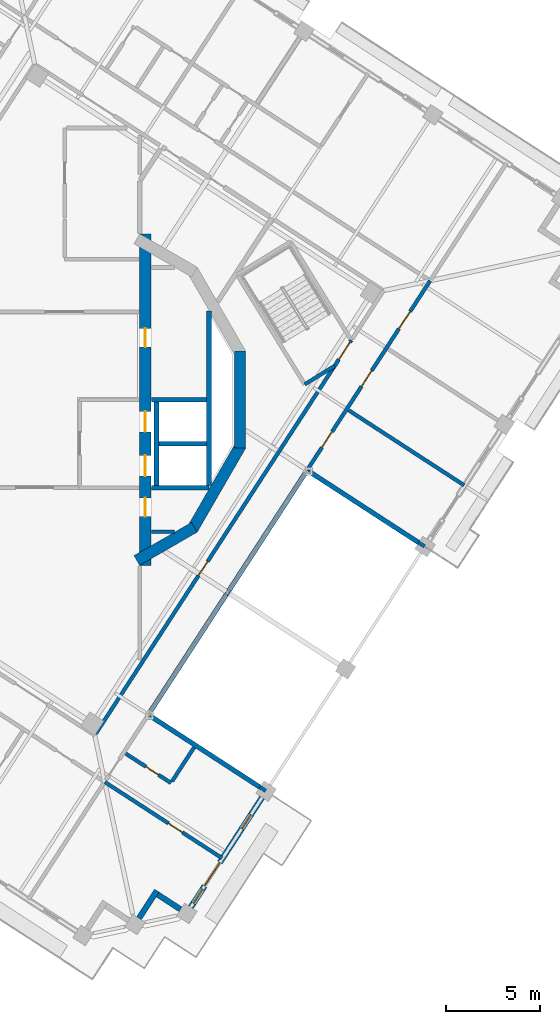
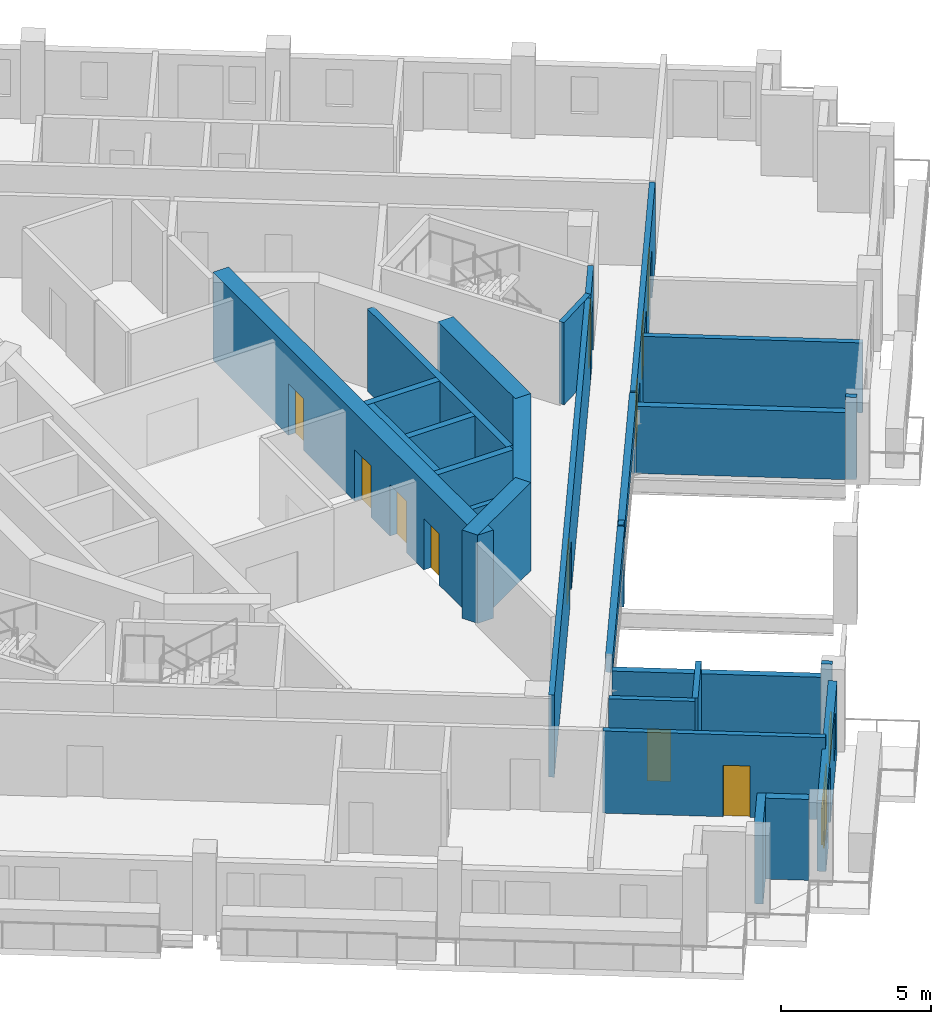
# One storey, part 7 of 17: 28 walls, 12 doors, 2 windows, 14 openings.
"""IFC4 building model written with IfcOpenShell, lengths in metres."""

from ifc_helpers import new_model, si_unit, direction, frame, frame_2d, origin, place, context, subcontext, project, spatial, rectangle, extrude, material, layer, layer_set, type_object, element, fill, save


model = new_model("IFC4")

# Units and contexts
model_context = context("Model", 3, precision=1e-05, world=origin(), true_north=direction((0.0, 1.0)))
body_context = subcontext(model_context, "Body", "Model", "MODEL_VIEW")
ifc_project = project(units=[si_unit("LENGTHUNIT", "METRE"), si_unit("AREAUNIT", "SQUARE_METRE"), si_unit("VOLUMEUNIT", "CUBIC_METRE"), si_unit("PLANEANGLEUNIT", "RADIAN"), si_unit("MASSUNIT", "GRAM", prefix="KILO")], contexts=[model_context])

# Site, building, storey
site_placement = place(None, origin())
site = spatial("IfcSite", under=ifc_project, at=site_placement, CompositionType="ELEMENT")
building_placement = place(site_placement, origin())
building = spatial("IfcBuilding", under=site, at=building_placement, Name="Cantera Rosa Tower", CompositionType="ELEMENT")
storey_placement = place(building_placement, frame((0.0, 0.0, 254.10009765625)))
storey = spatial("IfcBuildingStorey", under=building, at=storey_placement, Name="L56", CompositionType="ELEMENT", Elevation=254.10009765625)

# Wall, opening, door
ifc_material_1 = material(Name="Gypsum board partition")
ifc_layer_1 = layer(ifc_material_1, 0.199951171875)
ifc_layer_set_1 = layer_set([ifc_layer_1], Name="CORRIDOR WALL 200 H3350")
wall_type_1 = type_object("IfcWallType", Name="CORRIDOR WALL 200 H3350", PredefinedType="PARTITIONING", material=ifc_layer_set_1)
wall_1_placement = place(storey_placement, frame((1.656982421875, -17.828857421875, 0.0), z_axis=(0.0, 0.0, 1.0), x_axis=(0.544640309195, 0.838669740482, 0.0)))
wall_1 = element("IfcWall", 1, at=wall_1_placement, inside=storey, type_object=wall_type_1, Name="CORRIDOR WALL L56-057", PredefinedType="PARTITIONING", context=body_context, shape_type="SweptSolid", body=[
    extrude(rectangle(XDim=23.1552734375, YDim=0.199951171875, at=frame_2d((11.57763671875, 0.0))), origin(), (0.0, 0.0, 1.0), 3.349853515625),
])
opening_1_placement = place(wall_1_placement, frame((10.060791015625, 0.0, 0.0)))
opening_1 = element("IfcOpeningElement", 2, at=opening_1_placement, cuts=wall_1, Name="Opening L56-006", PredefinedType="OPENING", context=body_context, shape_type="SweptSolid", body=[
    extrude(rectangle(XDim=0.89990234375, YDim=2.10009765625, at=frame_2d((0.449951171875, 1.050048828125))), frame((0.0, 0.10986328125, 0.0), z_axis=(0.0, -1.0, 0.0), x_axis=(1.0, 0.0, 0.0)), (0.0, 0.0, 1.0), 0.219970703125),
])
ifc_material_2 = material(Name="Timber door leaf", Category="wood")
door_type_1 = type_object("IfcDoorType", Name="SERVICE DOOR 900x2100", OperationType="NOTDEFINED", PredefinedType="DOOR", material=ifc_material_2)
door_1_placement = place(opening_1_placement, origin())
door_1 = element("IfcDoor", 3, at=door_1_placement, inside=storey, type_object=door_type_1, Name="DOOR L56-006", OperationType="NOTDEFINED", OverallHeight=2.10009765625, OverallWidth=0.89990234375, PredefinedType="DOOR", context=body_context, shape_type="SweptSolid", body=[
    extrude(rectangle(XDim=0.89990234375, YDim=2.10009765625, at=frame_2d((0.449951171875, 1.050048828125))), frame((0.0, 0.02490234375, 0.0), z_axis=(0.0, -1.0, 0.0), x_axis=(1.0, 0.0, 0.0)), (0.0, 0.0, 1.0), 0.050048828125),
])
fill(opening_1, door_1)

# Wall
wall_2_placement = place(storey_placement, frame((8.6201171875, -10.41162109375, 0.0), z_axis=(0.0, 0.0, 1.0), x_axis=(0.5446964617, 0.838633271825, 0.0)))
element("IfcWall", 4, at=wall_2_placement, inside=storey, type_object=wall_type_1, Name="CORRIDOR WALL L56-060", PredefinedType="PARTITIONING", context=body_context, shape_type="SweptSolid", body=[
    extrude(rectangle(XDim=0.2939453125, YDim=0.199951171875, at=frame_2d((0.14697265625, 0.0))), origin(), (0.0, 0.0, 1.0), 3.349853515625),
])

# Wall, openings, doors
wall_3_placement = place(storey_placement, frame((12.869384765625, -3.8681640625, 0.0), z_axis=(0.0, 0.0, 1.0), x_axis=(0.544640401501, 0.838669680537, 0.0)))
wall_3 = element("IfcWall", 5, at=wall_3_placement, inside=storey, type_object=wall_type_1, Name="CORRIDOR WALL L56-061", PredefinedType="PARTITIONING", context=body_context, shape_type="SweptSolid", body=[
    extrude(rectangle(XDim=12.18505859375, YDim=0.199951171875, at=frame_2d((6.092529296875, 0.0))), origin(), (0.0, 0.0, 1.0), 3.349853515625),
])
opening_2_placement = place(wall_3_placement, frame((1.570068359375, 0.0, 0.0)))
opening_2 = element("IfcOpeningElement", 6, at=opening_2_placement, cuts=wall_3, Name="Opening L56-041", PredefinedType="OPENING", context=body_context, shape_type="SweptSolid", body=[
    extrude(rectangle(XDim=1.0, YDim=2.10009765625, at=frame_2d((0.5, 1.050048828125))), frame((0.0, 0.10986328125, 0.0), z_axis=(0.0, -1.0, 0.0), x_axis=(1.0, 0.0, 0.0)), (0.0, 0.0, 1.0), 0.219970703125),
])
opening_3_placement = place(wall_3_placement, frame((5.4599609375, 0.0, 0.0)))
opening_3 = element("IfcOpeningElement", 7, at=opening_3_placement, cuts=wall_3, Name="Opening L56-042", PredefinedType="OPENING", context=body_context, shape_type="SweptSolid", body=[
    extrude(rectangle(XDim=1.0, YDim=2.10009765625, at=frame_2d((0.5, 1.050048828125))), frame((0.0, 0.10986328125, 0.0), z_axis=(0.0, -1.0, 0.0), x_axis=(1.0, 0.0, 0.0)), (0.0, 0.0, 1.0), 0.219970703125),
])
opening_4_placement = place(wall_3_placement, frame((9.135009765625, 0.0, 0.0)))
opening_4 = element("IfcOpeningElement", 8, at=opening_4_placement, cuts=wall_3, Name="Opening L56-046", PredefinedType="OPENING", context=body_context, shape_type="SweptSolid", body=[
    extrude(rectangle(XDim=1.10009765625, YDim=2.10009765625, at=frame_2d((0.550048828125, 1.050048828125))), frame((0.0, 0.10986328125, 0.0), z_axis=(0.0, -1.0, 0.0), x_axis=(1.0, 0.0, 0.0)), (0.0, 0.0, 1.0), 0.219970703125),
])
ifc_material_3 = material(Name="Timber door leaf", Category="wood")
door_type_2 = type_object("IfcDoorType", Name="ROOM DOOR 1000x2100", OperationType="NOTDEFINED", PredefinedType="DOOR", material=ifc_material_3)
door_2_placement = place(opening_2_placement, origin())
door_2 = element("IfcDoor", 9, at=door_2_placement, inside=storey, type_object=door_type_2, Name="DOOR L56-041", OperationType="NOTDEFINED", OverallHeight=2.10009765625, OverallWidth=1.0, PredefinedType="DOOR", context=body_context, shape_type="SweptSolid", body=[
    extrude(rectangle(XDim=1.0, YDim=2.10009765625, at=frame_2d((0.5, 1.050048828125))), frame((0.0, 0.02490234375, 0.0), z_axis=(0.0, -1.0, 0.0), x_axis=(1.0, 0.0, 0.0)), (0.0, 0.0, 1.0), 0.050048828125),
])
fill(opening_2, door_2)
door_3_placement = place(opening_3_placement, origin())
door_3 = element("IfcDoor", 10, at=door_3_placement, inside=storey, type_object=door_type_2, Name="DOOR L56-042", OperationType="NOTDEFINED", OverallHeight=2.10009765625, OverallWidth=1.0, PredefinedType="DOOR", context=body_context, shape_type="SweptSolid", body=[
    extrude(rectangle(XDim=1.0, YDim=2.10009765625, at=frame_2d((0.5, 1.050048828125))), frame((0.0, 0.02490234375, 0.0), z_axis=(0.0, -1.0, 0.0), x_axis=(1.0, 0.0, 0.0)), (0.0, 0.0, 1.0), 0.050048828125),
])
fill(opening_3, door_3)
ifc_material_4 = material(Name="Timber door leaf", Category="wood")
door_type_3 = type_object("IfcDoorType", Name="ROOM DOOR 1100x2100", OperationType="NOTDEFINED", PredefinedType="DOOR", material=ifc_material_4)
door_4_placement = place(opening_4_placement, origin())
door_4 = element("IfcDoor", 11, at=door_4_placement, inside=storey, type_object=door_type_3, Name="DOOR L56-046", OperationType="NOTDEFINED", OverallHeight=2.10009765625, OverallWidth=1.10009765625, PredefinedType="DOOR", context=body_context, shape_type="SweptSolid", body=[
    extrude(rectangle(XDim=1.10009765625, YDim=2.10009765625, at=frame_2d((0.550048828125, 1.050048828125))), frame((0.0, 0.02490234375, 0.0), z_axis=(0.0, -1.0, 0.0), x_axis=(1.0, 0.0, 0.0)), (0.0, 0.0, 1.0), 0.050048828125),
])
fill(opening_4, door_4)

# Walls
ifc_material_5 = material(Name="Hollow clay masonry with cantera stone cladding", Category="masonry")
ifc_layer_2 = layer(ifc_material_5, 0.300048828125)
ifc_layer_set_2 = layer_set([ifc_layer_2], Name="EW-LOGGIA 300")
wall_type_2 = type_object("IfcWallType", Name="EW-LOGGIA 300", PredefinedType="SOLIDWALL", material=ifc_layer_set_2)
wall_4_placement = place(storey_placement, frame((3.966796875, -27.67529296875, 0.0), z_axis=(0.0, 0.0, 1.0), x_axis=(0.544679362749, 0.83864437743, 0.0)))
element("IfcWall", 12, at=wall_4_placement, inside=storey, type_object=wall_type_2, Name="EN-L56-W19a", PredefinedType="SOLIDWALL", context=body_context, shape_type="SweptSolid", body=[
    extrude(rectangle(XDim=1.75, YDim=0.300048828125, at=frame_2d((0.875, 0.0))), origin(), (0.0, 0.0, 1.0), 3.2998046875),
])
wall_5_placement = place(storey_placement, frame((4.964111328125, -26.415283203125, 0.0), z_axis=(0.0, 0.0, 1.0), x_axis=(0.838724343483, -0.544556218997, 0.0)))
element("IfcWall", 13, at=wall_5_placement, inside=storey, type_object=wall_type_2, Name="EN-L56-W19b", PredefinedType="SOLIDWALL", context=body_context, shape_type="SweptSolid", body=[
    extrude(rectangle(XDim=1.449951171875, YDim=0.300048828125, at=frame_2d((0.72509765625, 0.0))), origin(), (0.0, 0.0, 1.0), 3.2998046875),
])

# Wall, openings, windows, door
ifc_material_6 = material(Name="Hollow clay masonry with cantera stone cladding", Category="masonry")
ifc_layer_3 = layer(ifc_material_6, 0.300048828125)
ifc_layer_set_3 = layer_set([ifc_layer_3], Name="EW-LOGGIA 300 H2890")
wall_type_3 = type_object("IfcWallType", Name="EW-LOGGIA 300 H2890", PredefinedType="SOLIDWALL", material=ifc_layer_set_3)
wall_6_placement = place(storey_placement, frame((6.7333984375, -27.08740234375, 0.0), z_axis=(0.0, 0.0, 1.0), x_axis=(0.544651451949, 0.838662504164, 0.0)))
wall_6 = element("IfcWall", 14, at=wall_6_placement, inside=storey, type_object=wall_type_3, Name="EN-L56-W20", PredefinedType="SOLIDWALL", context=body_context, shape_type="SweptSolid", body=[
    extrude(rectangle(XDim=6.980224609375, YDim=0.300048828125, at=frame_2d((3.490234375, 0.0))), origin(), (0.0, 0.0, 1.0), 2.889892578125),
])
opening_5_placement = place(wall_6_placement, frame((0.2451171875, 0.0, 0.89990234375)))
opening_5 = element("IfcOpeningElement", 15, at=opening_5_placement, cuts=wall_6, Name="Opening L56-W40", PredefinedType="OPENING", context=body_context, shape_type="SweptSolid", body=[
    extrude(rectangle(XDim=0.89990234375, YDim=1.5, at=frame_2d((0.449951171875, 0.75))), frame((0.0, 0.159912109375, 0.0), z_axis=(0.0, -1.0, 0.0), x_axis=(1.0, 0.0, 0.0)), (0.0, 0.0, 1.0), 0.320068359375),
])
opening_6_placement = place(wall_6_placement, frame((1.344970703125, 0.0, 0.0)))
opening_6 = element("IfcOpeningElement", 16, at=opening_6_placement, cuts=wall_6, Name="Opening L56-TD41", PredefinedType="OPENING", context=body_context, shape_type="SweptSolid", body=[
    extrude(rectangle(XDim=1.5, YDim=2.39990234375, at=frame_2d((0.75, 1.199951171875))), frame((0.0, 0.159912109375, 0.0), z_axis=(0.0, -1.0, 0.0), x_axis=(1.0, 0.0, 0.0)), (0.0, 0.0, 1.0), 0.320068359375),
])
opening_7_placement = place(wall_6_placement, frame((4.985107421875, 0.0, 0.89990234375)))
opening_7 = element("IfcOpeningElement", 17, at=opening_7_placement, cuts=wall_6, Name="Opening L56-W42", PredefinedType="OPENING", context=body_context, shape_type="SweptSolid", body=[
    extrude(rectangle(XDim=0.89990234375, YDim=1.5, at=frame_2d((0.449951171875, 0.75))), frame((0.0, 0.159912109375, 0.0), z_axis=(0.0, -1.0, 0.0), x_axis=(1.0, 0.0, 0.0)), (0.0, 0.0, 1.0), 0.320068359375),
])
ifc_material_7 = material(Name="Aluminium frame with clear glass", Category="aluminium")
window_type = type_object("IfcWindowType", Name="Residential window 900x1500", PartitioningType="SINGLE_PANEL", PredefinedType="WINDOW", material=ifc_material_7)
window_1_placement = place(opening_5_placement, origin())
window_1 = element("IfcWindow", 18, at=window_1_placement, inside=storey, type_object=window_type, Name="WINDOW L56-W40", OverallHeight=1.5, OverallWidth=0.89990234375, PartitioningType="SINGLE_PANEL", PredefinedType="WINDOW", context=body_context, shape_type="SweptSolid", body=[
    extrude(rectangle(XDim=0.89990234375, YDim=1.5, at=frame_2d((0.449951171875, 0.75))), frame((0.0, 0.030029296875, 0.0), z_axis=(0.0, -1.0, 0.0), x_axis=(1.0, 0.0, 0.0)), (0.0, 0.0, 1.0), 0.06005859375),
])
fill(opening_5, window_1)
window_2_placement = place(opening_7_placement, origin())
window_2 = element("IfcWindow", 19, at=window_2_placement, inside=storey, type_object=window_type, Name="WINDOW L56-W42", OverallHeight=1.5, OverallWidth=0.89990234375, PartitioningType="SINGLE_PANEL", PredefinedType="WINDOW", context=body_context, shape_type="SweptSolid", body=[
    extrude(rectangle(XDim=0.89990234375, YDim=1.5, at=frame_2d((0.449951171875, 0.75))), frame((0.0, 0.030029296875, 0.0), z_axis=(0.0, -1.0, 0.0), x_axis=(1.0, 0.0, 0.0)), (0.0, 0.0, 1.0), 0.06005859375),
])
fill(opening_7, window_2)
ifc_material_8 = material(Name="Aluminium frame with clear glass", Category="aluminium")
door_type_4 = type_object("IfcDoorType", Name="TD-R 1500x2400", OperationType="NOTDEFINED", PredefinedType="DOOR", material=ifc_material_8)
door_5_placement = place(opening_6_placement, origin())
door_5 = element("IfcDoor", 20, at=door_5_placement, inside=storey, type_object=door_type_4, Name="LOGGIA DOOR L56-TD41", OperationType="SLIDING_TO_LEFT", OverallHeight=2.39990234375, OverallWidth=1.5, PredefinedType="DOOR", context=body_context, shape_type="SweptSolid", body=[
    extrude(rectangle(XDim=1.5, YDim=2.39990234375, at=frame_2d((0.75, 1.199951171875))), frame((0.0, 0.02490234375, 0.0), z_axis=(0.0, -1.0, 0.0), x_axis=(1.0, 0.0, 0.0)), (0.0, 0.0, 1.0), 0.050048828125),
])
fill(opening_6, door_5)

# Walls
ifc_material_9 = material(Name="Concrete C40/50", Category="concrete")
ifc_layer_4 = layer(ifc_material_9, 0.25)
ifc_layer_set_4 = layer_set([ifc_layer_4], Name="EW-POCKET CHEEK 250 H2735")
wall_type_4 = type_object("IfcWallType", Name="EW-POCKET CHEEK 250 H2735", PredefinedType="SOLIDWALL", material=ifc_layer_set_4)
wall_7_placement = place(storey_placement, frame((18.89208984375, -7.63037109375, 0.0), z_axis=(0.0, 0.0, 1.0), x_axis=(-0.838665071449, 0.544647498784, 0.0)))
element("IfcWall", 21, at=wall_7_placement, inside=storey, type_object=wall_type_4, Name="POCKET CHEEK B L56", PredefinedType="SOLIDWALL", context=body_context, shape_type="SweptSolid", body=[
    extrude(rectangle(XDim=7.0, YDim=0.25, at=frame_2d((3.5, 0.0))), origin(), (0.0, 0.0, 1.0), 2.73486328125),
])
ifc_material_10 = material(Name="Concrete C40/50", Category="concrete")
ifc_layer_5 = layer(ifc_material_10, 0.25)
ifc_layer_set_5 = layer_set([ifc_layer_5], Name="EW-POCKET CHEEK 250 H2820")
wall_type_5 = type_object("IfcWallType", Name="EW-POCKET CHEEK 250 H2820", PredefinedType="SOLIDWALL", material=ifc_layer_set_5)
wall_8_placement = place(storey_placement, frame((10.41748046875, -20.68017578125, 0.0), z_axis=(0.0, 0.0, 1.0), x_axis=(-0.838665071449, 0.544647498784, 0.0)))
element("IfcWall", 22, at=wall_8_placement, inside=storey, type_object=wall_type_5, Name="POCKET CHEEK A L56", PredefinedType="SOLIDWALL", context=body_context, shape_type="SweptSolid", body=[
    extrude(rectangle(XDim=7.0, YDim=0.25, at=frame_2d((3.5, 0.0))), origin(), (0.0, 0.0, 1.0), 2.81982421875),
])
ifc_material_11 = material(Name="Hollow clay masonry with cantera stone cladding", Category="masonry")
ifc_layer_6 = layer(ifc_material_11, 0.25)
ifc_layer_set_6 = layer_set([ifc_layer_6], Name="EW-POCKET REAR 250")
wall_type_6 = type_object("IfcWallType", Name="EW-POCKET REAR 250", PredefinedType="SOLIDWALL", material=ifc_layer_set_6)
wall_9_placement = place(storey_placement, frame((4.531005859375, -16.708251953125, 2.591796875), z_axis=(0.0, 0.0, 1.0), x_axis=(0.544641980104, 0.838668655375, 0.0)))
element("IfcWall", 23, at=wall_9_placement, inside=storey, type_object=wall_type_6, Name="POCKET SPANDREL L56-1", PredefinedType="SOLIDWALL", context=body_context, shape_type="SweptSolid", body=[
    extrude(rectangle(XDim=7.5078125, YDim=0.25, at=frame_2d((3.75390625, 0.0))), origin(), (0.0, 0.0, 1.0), 0.7080078125),
])
wall_10_placement = place(storey_placement, frame((8.7802734375, -10.1650390625, 2.591796875), z_axis=(0.0, 0.0, 1.0), x_axis=(0.544627127097, 0.838678300918, 0.0)))
element("IfcWall", 24, at=wall_10_placement, inside=storey, type_object=wall_type_6, Name="POCKET SPANDREL L56-2", PredefinedType="SOLIDWALL", context=body_context, shape_type="SweptSolid", body=[
    extrude(rectangle(XDim=7.508056640625, YDim=0.25, at=frame_2d((3.75390625, 0.0))), origin(), (0.0, 0.0, 1.0), 0.7080078125),
])
ifc_material_12 = material(Name="Gypsum board partition")
ifc_layer_7 = layer(ifc_material_12, 0.199951171875)
ifc_layer_set_7 = layer_set([ifc_layer_7], Name="PARTITION 200 H2850")
wall_type_7 = type_object("IfcWallType", Name="PARTITION 200 H2850", PredefinedType="PARTITIONING", material=ifc_layer_set_7)
wall_11_placement = place(storey_placement, frame((15.15673828125, -0.56640625, 0.0), z_axis=(0.0, 0.0, 1.0), x_axis=(0.838684106336, -0.544618187155, 0.0)))
element("IfcWall", 25, at=wall_11_placement, inside=storey, type_object=wall_type_7, Name="PARTITION L56-093", PredefinedType="PARTITIONING", context=body_context, shape_type="SweptSolid", body=[
    extrude(rectangle(XDim=7.349853515625, YDim=0.199951171875, at=frame_2d((3.6748046875, 0.0))), origin(), (0.0, 0.0, 1.0), 2.849853515625),
])

# Wall, opening, door
ifc_material_13 = material(Name="Gypsum board partition")
ifc_layer_8 = layer(ifc_material_13, 0.199951171875)
ifc_layer_set_8 = layer_set([ifc_layer_8], Name="PARTITION 200 H3350")
wall_type_8 = type_object("IfcWallType", Name="PARTITION 200 H3350", PredefinedType="PARTITIONING", material=ifc_layer_set_8)
wall_12_placement = place(storey_placement, frame((2.148681640625, -20.41357421875, 0.0), z_axis=(0.0, 0.0, 1.0), x_axis=(0.83866516607, -0.544647353083, 0.0)))
wall_12 = element("IfcWall", 26, at=wall_12_placement, inside=storey, type_object=wall_type_8, Name="PARTITION L56-058", PredefinedType="PARTITIONING", context=body_context, shape_type="SweptSolid", body=[
    extrude(rectangle(XDim=7.449951171875, YDim=0.199951171875, at=frame_2d((3.72509765625, 0.0))), origin(), (0.0, 0.0, 1.0), 3.349853515625),
])
opening_8_placement = place(wall_12_placement, frame((4.030029296875, 0.0, 0.0)))
opening_8 = element("IfcOpeningElement", 27, at=opening_8_placement, cuts=wall_12, Name="Opening L56-045", PredefinedType="OPENING", context=body_context, shape_type="SweptSolid", body=[
    extrude(rectangle(XDim=0.89990234375, YDim=2.10009765625, at=frame_2d((0.449951171875, 1.050048828125))), frame((0.0, 0.10986328125, 0.0), z_axis=(0.0, -1.0, 0.0), x_axis=(1.0, 0.0, 0.0)), (0.0, 0.0, 1.0), 0.219970703125),
])
ifc_material_14 = material(Name="Timber door leaf", Category="wood")
door_type_5 = type_object("IfcDoorType", Name="ROOM DOOR 900x2100", OperationType="NOTDEFINED", PredefinedType="DOOR", material=ifc_material_14)
door_6_placement = place(opening_8_placement, origin())
door_6 = element("IfcDoor", 28, at=door_6_placement, inside=storey, type_object=door_type_5, Name="DOOR L56-045", OperationType="NOTDEFINED", OverallHeight=2.10009765625, OverallWidth=0.89990234375, PredefinedType="DOOR", context=body_context, shape_type="SweptSolid", body=[
    extrude(rectangle(XDim=0.89990234375, YDim=2.10009765625, at=frame_2d((0.449951171875, 1.050048828125))), frame((0.0, 0.02490234375, 0.0), z_axis=(0.0, -1.0, 0.0), x_axis=(1.0, 0.0, 0.0)), (0.0, 0.0, 1.0), 0.050048828125),
])
fill(opening_8, door_6)

# Wall
wall_13_placement = place(storey_placement, frame((10.41748046875, -20.68017578125, 0.0), z_axis=(0.0, 0.0, 1.0), x_axis=(0.838790236691, -0.544454716971, 0.0)))
element("IfcWall", 29, at=wall_13_placement, inside=storey, type_object=wall_type_8, Name="PARTITION L56-071", PredefinedType="PARTITIONING", context=body_context, shape_type="SweptSolid", body=[
    extrude(rectangle(XDim=0.369873046875, YDim=0.199951171875, at=frame_2d((0.18505859375, 0.0))), origin(), (0.0, 0.0, 1.0), 3.349853515625),
])

# Wall, opening, door
wall_14_placement = place(storey_placement, frame((5.671875, -20.4599609375, 0.0), z_axis=(0.0, 0.0, 1.0), x_axis=(-0.838679811106, 0.544624801532, 0.0)))
wall_14 = element("IfcWall", 30, at=wall_14_placement, inside=storey, type_object=wall_type_8, Name="PARTITION L56-077", PredefinedType="PARTITIONING", context=body_context, shape_type="SweptSolid", body=[
    extrude(rectangle(XDim=2.880126953125, YDim=0.199951171875, at=frame_2d((1.43994140625, 0.0))), origin(), (0.0, 0.0, 1.0), 3.349853515625),
])
opening_9_placement = place(wall_14_placement, frame((0.800048828125, 0.0, 0.0)))
opening_9 = element("IfcOpeningElement", 31, at=opening_9_placement, cuts=wall_14, Name="Opening L56-044", PredefinedType="OPENING", context=body_context, shape_type="SweptSolid", body=[
    extrude(rectangle(XDim=0.800048828125, YDim=2.10009765625, at=frame_2d((0.39990234375, 1.050048828125))), frame((0.0, 0.10986328125, 0.0), z_axis=(0.0, -1.0, 0.0), x_axis=(1.0, 0.0, 0.0)), (0.0, 0.0, 1.0), 0.219970703125),
])
ifc_material_15 = material(Name="Timber door leaf", Category="wood")
door_type_6 = type_object("IfcDoorType", Name="BATHROOM DOOR 800x2100", OperationType="NOTDEFINED", PredefinedType="DOOR", material=ifc_material_15)
door_7_placement = place(opening_9_placement, origin())
door_7 = element("IfcDoor", 32, at=door_7_placement, inside=storey, type_object=door_type_6, Name="DOOR L56-044", OperationType="NOTDEFINED", OverallHeight=2.10009765625, OverallWidth=0.800048828125, PredefinedType="DOOR", context=body_context, shape_type="SweptSolid", body=[
    extrude(rectangle(XDim=0.800048828125, YDim=2.10009765625, at=frame_2d((0.39990234375, 1.050048828125))), frame((0.0, 0.02490234375, 0.0), z_axis=(0.0, -1.0, 0.0), x_axis=(1.0, 0.0, 0.0)), (0.0, 0.0, 1.0), 0.050048828125),
])
fill(opening_9, door_7)

# Walls
wall_15_placement = place(storey_placement, frame((5.84765625, -7.050048828125, 0.0), z_axis=(0.0, 0.0, 1.0), x_axis=(-1.0, 0.0, 0.0)))
element("IfcWall", 33, at=wall_15_placement, inside=storey, type_object=wall_type_8, Name="PARTITION L56-078", PredefinedType="PARTITIONING", context=body_context, shape_type="SweptSolid", body=[
    extrude(rectangle(XDim=1.2177734375, YDim=0.199951171875, at=frame_2d((0.60888671875, 0.0))), origin(), (0.0, 0.0, 1.0), 3.349853515625),
])
wall_16_placement = place(storey_placement, frame((6.905517578125, -18.560302734375, 0.0), z_axis=(0.0, 0.0, 1.0), x_axis=(-0.544667250138, -0.838652244156, 0.0)))
element("IfcWall", 34, at=wall_16_placement, inside=storey, type_object=wall_type_8, Name="PARTITION L56-079", PredefinedType="PARTITIONING", context=body_context, shape_type="SweptSolid", body=[
    extrude(rectangle(XDim=2.1650390625, YDim=0.199951171875, at=frame_2d((1.08251953125, 0.0))), origin(), (0.0, 0.0, 1.0), 3.349853515625),
])
wall_17_placement = place(storey_placement, frame((19.202392578125, -7.831787109375, 0.0), z_axis=(0.0, 0.0, 1.0), x_axis=(-0.838790236691, 0.544454716971, 0.0)))
element("IfcWall", 35, at=wall_17_placement, inside=storey, type_object=wall_type_8, Name="PARTITION L56-098", PredefinedType="PARTITIONING", context=body_context, shape_type="SweptSolid", body=[
    extrude(rectangle(XDim=0.369873046875, YDim=0.199951171875, at=frame_2d((0.18505859375, 0.0))), origin(), (0.0, 0.0, 1.0), 3.349853515625),
])
ifc_material_16 = material(Name="Concrete C50/60", Category="concrete")
ifc_layer_9 = layer(ifc_material_16, 0.60009765625)
ifc_layer_set_9 = layer_set([ifc_layer_9], Name="RC CORE WALL 600 C50/60")
wall_type_9 = type_object("IfcWallType", Name="RC CORE WALL 600 C50/60", PredefinedType="SHEAR", material=ifc_layer_set_9)
for number, where, z_axis, x_axis, name in (
    (36, (9.359375, 2.588134765625, 0.0), (0.0, 0.0, 1.0), (0.0, -1.0, 0.0), "CW-E3 L56"),
    (37, (9.3994140625, -2.438232421875, 0.0), (0.0, 0.0, 1.0), (-0.499989188378, -0.866031645787, 0.0), "CW-E4 L56"),
):
    element("IfcWall", number, at=place(storey_placement, frame(where, z_axis=z_axis, x_axis=x_axis)), inside=storey, type_object=wall_type_9, Name=name, PredefinedType="SHEAR", context=body_context, shape_type="SweptSolid", body=[
        extrude(rectangle(XDim=5.17626953125, YDim=0.60009765625, at=frame_2d((2.588134765625, 0.0))), origin(), (0.0, 0.0, 1.0), 3.599853515625),
    ])
wall_18_placement = place(storey_placement, frame((6.921142578125, -6.811279296875, 0.0), z_axis=(0.0, 0.0, 1.0), x_axis=(-0.866039982607, -0.499974747889, 0.0)))
element("IfcWall", 38, at=wall_18_placement, inside=storey, type_object=wall_type_9, Name="CW-E5 L56", PredefinedType="SHEAR", context=body_context, shape_type="SweptSolid", body=[
    extrude(rectangle(XDim=3.546142578125, YDim=0.60009765625, at=frame_2d((1.77294921875, 0.0))), origin(), (0.0, 0.0, 1.0), 3.599853515625),
])

# Wall, openings, doors
wall_19_placement = place(storey_placement, frame((4.300048828125, -8.84423828125, 0.0), z_axis=(0.0, 0.0, 1.0), x_axis=(0.0, 1.0, 0.0)))
wall_19 = element("IfcWall", 39, at=wall_19_placement, inside=storey, type_object=wall_type_9, Name="CW-E6 L56", PredefinedType="SHEAR", context=body_context, shape_type="SweptSolid", body=[
    extrude(rectangle(XDim=17.6884765625, YDim=0.60009765625, at=frame_2d((8.84423828125, 0.0))), origin(), (0.0, 0.0, 1.0), 3.599853515625),
])
opening_10_placement = place(wall_19_placement, frame((4.76904296875, 0.0, 0.0)))
opening_10 = element("IfcOpeningElement", 40, at=opening_10_placement, cuts=wall_19, Name="Opening LD-FF1-L56", PredefinedType="OPENING", context=body_context, shape_type="SweptSolid", body=[
    extrude(rectangle(XDim=1.10009765625, YDim=2.10009765625, at=frame_2d((0.550048828125, 1.050048828125))), frame((0.0, 0.31005859375, 0.0), z_axis=(0.0, -1.0, 0.0), x_axis=(1.0, 0.0, 0.0)), (0.0, 0.0, 1.0), 0.6201171875),
])
opening_11_placement = place(wall_19_placement, frame((7.119140625, 0.0, 0.0)))
opening_11 = element("IfcOpeningElement", 41, at=opening_11_placement, cuts=wall_19, Name="Opening LD-FF2-L56", PredefinedType="OPENING", context=body_context, shape_type="SweptSolid", body=[
    extrude(rectangle(XDim=1.10009765625, YDim=2.10009765625, at=frame_2d((0.550048828125, 1.050048828125))), frame((0.0, 0.31005859375, 0.0), z_axis=(0.0, -1.0, 0.0), x_axis=(1.0, 0.0, 0.0)), (0.0, 0.0, 1.0), 0.6201171875),
])
opening_12_placement = place(wall_19_placement, frame((2.5966796875, 0.0, 0.0)))
opening_12 = element("IfcOpeningElement", 42, at=opening_12_placement, cuts=wall_19, Name="Opening SD-L56-17", PredefinedType="OPENING", context=body_context, shape_type="SweptSolid", body=[
    extrude(rectangle(XDim=1.0, YDim=2.10009765625, at=frame_2d((0.5, 1.050048828125))), frame((0.0, 0.31005859375, 0.0), z_axis=(0.0, -1.0, 0.0), x_axis=(1.0, 0.0, 0.0)), (0.0, 0.0, 1.0), 0.6201171875),
])
opening_13_placement = place(wall_19_placement, frame((11.6494140625, 0.0, 0.0)))
opening_13 = element("IfcOpeningElement", 43, at=opening_13_placement, cuts=wall_19, Name="Opening SD-L56-18", PredefinedType="OPENING", context=body_context, shape_type="SweptSolid", body=[
    extrude(rectangle(XDim=1.0, YDim=2.10009765625, at=frame_2d((0.5, 1.050048828125))), frame((0.0, 0.31005859375, 0.0), z_axis=(0.0, -1.0, 0.0), x_axis=(1.0, 0.0, 0.0)), (0.0, 0.0, 1.0), 0.6201171875),
])
ifc_material_17 = material(Name="Steel S355J2 (EN 10025-2)", Category="steel")
door_type_7 = type_object("IfcDoorType", Name="LANDING DOOR 1100x2100", OperationType="NOTDEFINED", PredefinedType="DOOR", material=ifc_material_17)
door_8_placement = place(opening_10_placement, origin())
door_8 = element("IfcDoor", 44, at=door_8_placement, inside=storey, type_object=door_type_7, Name="LANDING DOOR FF1 L56", OperationType="SLIDING_TO_LEFT", OverallHeight=2.10009765625, OverallWidth=1.10009765625, PredefinedType="DOOR", context=body_context, shape_type="SweptSolid", body=[
    extrude(rectangle(XDim=1.10009765625, YDim=2.10009765625, at=frame_2d((0.550048828125, 1.050048828125))), frame((0.0, 0.02490234375, 0.0), z_axis=(0.0, -1.0, 0.0), x_axis=(1.0, 0.0, 0.0)), (0.0, 0.0, 1.0), 0.050048828125),
])
fill(opening_10, door_8)
door_9_placement = place(opening_11_placement, origin())
door_9 = element("IfcDoor", 45, at=door_9_placement, inside=storey, type_object=door_type_7, Name="LANDING DOOR FF2 L56", OperationType="SLIDING_TO_LEFT", OverallHeight=2.10009765625, OverallWidth=1.10009765625, PredefinedType="DOOR", context=body_context, shape_type="SweptSolid", body=[
    extrude(rectangle(XDim=1.10009765625, YDim=2.10009765625, at=frame_2d((0.550048828125, 1.050048828125))), frame((0.0, 0.02490234375, 0.0), z_axis=(0.0, -1.0, 0.0), x_axis=(1.0, 0.0, 0.0)), (0.0, 0.0, 1.0), 0.050048828125),
])
fill(opening_11, door_9)
ifc_material_18 = material(Name="Timber door leaf", Category="wood")
door_type_8 = type_object("IfcDoorType", Name="SERVICE DOOR 1000x2100", OperationType="NOTDEFINED", PredefinedType="DOOR", material=ifc_material_18)
door_10_placement = place(opening_12_placement, origin())
door_10 = element("IfcDoor", 46, at=door_10_placement, inside=storey, type_object=door_type_8, Name="DOOR L56-SD17", OperationType="NOTDEFINED", OverallHeight=2.10009765625, OverallWidth=1.0, PredefinedType="DOOR", context=body_context, shape_type="SweptSolid", body=[
    extrude(rectangle(XDim=1.0, YDim=2.10009765625, at=frame_2d((0.5, 1.050048828125))), frame((0.0, 0.02490234375, 0.0), z_axis=(0.0, -1.0, 0.0), x_axis=(1.0, 0.0, 0.0)), (0.0, 0.0, 1.0), 0.050048828125),
])
fill(opening_12, door_10)
door_11_placement = place(opening_13_placement, origin())
door_11 = element("IfcDoor", 47, at=door_11_placement, inside=storey, type_object=door_type_8, Name="DOOR L56-SD18", OperationType="NOTDEFINED", OverallHeight=2.10009765625, OverallWidth=1.0, PredefinedType="DOOR", context=body_context, shape_type="SweptSolid", body=[
    extrude(rectangle(XDim=1.0, YDim=2.10009765625, at=frame_2d((0.5, 1.050048828125))), frame((0.0, 0.02490234375, 0.0), z_axis=(0.0, -1.0, 0.0), x_axis=(1.0, 0.0, 0.0)), (0.0, 0.0, 1.0), 0.050048828125),
])
fill(opening_13, door_11)

# Walls
ifc_material_19 = material(Name="Masonry blockwork", Category="masonry")
ifc_layer_10 = layer(ifc_material_19, 0.25)
ifc_layer_set_10 = layer_set([ifc_layer_10], Name="SHAFT WALL 250 H3350")
wall_type_10 = type_object("IfcWallType", Name="SHAFT WALL 250 H3350", PredefinedType="SOLIDWALL", material=ifc_layer_set_10)
wall_20_placement = place(storey_placement, frame((4.6298828125, 0.0, 0.0), z_axis=(0.0, 0.0, 1.0), x_axis=(1.0, 0.0, 0.0)))
element("IfcWall", 48, at=wall_20_placement, inside=storey, type_object=wall_type_10, Name="SHAFT WALL L56-072", PredefinedType="SOLIDWALL", context=body_context, shape_type="SweptSolid", body=[
    extrude(rectangle(XDim=2.945068359375, YDim=0.25, at=frame_2d((1.47265625, 0.0))), origin(), (0.0, 0.0, 1.0), 3.349853515625),
])
wall_21_placement = place(storey_placement, frame((4.89990234375, -0.125, 0.0), z_axis=(0.0, 0.0, 1.0), x_axis=(0.0, -1.0, 0.0)))
element("IfcWall", 49, at=wall_21_placement, inside=storey, type_object=wall_type_10, Name="SHAFT WALL L56-074", PredefinedType="SOLIDWALL", context=body_context, shape_type="SweptSolid", body=[
    extrude(rectangle(XDim=4.449951171875, YDim=0.25, at=frame_2d((2.22509765625, 0.0))), origin(), (0.0, 0.0, 1.0), 3.349853515625),
])
wall_22_placement = place(storey_placement, frame((7.699951171875, -4.699951171875, 0.0), z_axis=(0.0, 0.0, 1.0), x_axis=(-1.0, 0.0, 0.0)))
element("IfcWall", 50, at=wall_22_placement, inside=storey, type_object=wall_type_10, Name="SHAFT WALL L56-080", PredefinedType="SOLIDWALL", context=body_context, shape_type="SweptSolid", body=[
    extrude(rectangle(XDim=3.070068359375, YDim=0.25, at=frame_2d((1.53515625, 0.0))), origin(), (0.0, 0.0, 1.0), 3.349853515625),
])
wall_23_placement = place(storey_placement, frame((7.699951171875, -4.580078125, 0.0), z_axis=(0.0, 0.0, 1.0), x_axis=(0.0, 1.0, 0.0)))
element("IfcWall", 51, at=wall_23_placement, inside=storey, type_object=wall_type_10, Name="SHAFT WALL L56-081", PredefinedType="SOLIDWALL", context=body_context, shape_type="SweptSolid", body=[
    extrude(rectangle(XDim=9.3017578125, YDim=0.25, at=frame_2d((4.65087890625, 0.0))), origin(), (0.0, 0.0, 1.0), 3.349853515625),
])
wall_24_placement = place(storey_placement, frame((7.574951171875, -2.35009765625, 0.0), z_axis=(0.0, 0.0, 1.0), x_axis=(-1.0, 0.0, 0.0)))
element("IfcWall", 52, at=wall_24_placement, inside=storey, type_object=wall_type_10, Name="SHAFT WALL L56-082", PredefinedType="SOLIDWALL", context=body_context, shape_type="SweptSolid", body=[
    extrude(rectangle(XDim=2.554931640625, YDim=0.25, at=frame_2d((1.27734375, 0.0))), origin(), (0.0, 0.0, 1.0), 3.349853515625),
])
ifc_material_20 = material(Name="Concrete C50/60", Category="concrete")
ifc_layer_11 = layer(ifc_material_20, 0.199951171875)
ifc_layer_set_11 = layer_set([ifc_layer_11], Name="STAIR WALL 200 H3350")
wall_type_11 = type_object("IfcWallType", Name="STAIR WALL 200 H3350", PredefinedType="SOLIDWALL", material=ifc_layer_set_11)
wall_25_placement = place(storey_placement, frame((12.811279296875, 0.818359375, 0.0), z_axis=(0.0, 0.0, 1.0), x_axis=(0.851125244186, 0.524962683158, 0.0)))
element("IfcWall", 53, at=wall_25_placement, inside=storey, type_object=wall_type_11, Name="STAIR WALL L56-091", PredefinedType="SOLIDWALL", context=body_context, shape_type="SweptSolid", body=[
    extrude(rectangle(XDim=1.872802734375, YDim=0.199951171875, at=frame_2d((0.9365234375, 0.0))), origin(), (0.0, 0.0, 1.0), 3.349853515625),
])

# Wall, opening, door
wall_26_placement = place(storey_placement, frame((14.268310546875, 1.5908203125, 0.0), z_axis=(0.0, 0.0, 1.0), x_axis=(0.544651565877, 0.838662430176, 0.0)))
wall_26 = element("IfcWall", 54, at=wall_26_placement, inside=storey, type_object=wall_type_11, Name="STAIR WALL L56-092", PredefinedType="SOLIDWALL", context=body_context, shape_type="SweptSolid", body=[
    extrude(rectangle(XDim=1.8857421875, YDim=0.199951171875, at=frame_2d((0.94287109375, 0.0))), origin(), (0.0, 0.0, 1.0), 3.349853515625),
])
opening_14_placement = place(wall_26_placement, frame((0.6689453125, 0.0, 0.0)))
opening_14 = element("IfcOpeningElement", 55, at=opening_14_placement, cuts=wall_26, Name="Opening L56-001", PredefinedType="OPENING", context=body_context, shape_type="SweptSolid", body=[
    extrude(rectangle(XDim=1.10009765625, YDim=2.10009765625, at=frame_2d((0.550048828125, 1.050048828125))), frame((0.0, 0.10986328125, 0.0), z_axis=(0.0, -1.0, 0.0), x_axis=(1.0, 0.0, 0.0)), (0.0, 0.0, 1.0), 0.219970703125),
])
ifc_material_21 = material(Name="Steel S355J2 (EN 10025-2)", Category="steel")
door_type_9 = type_object("IfcDoorType", Name="STAIR DOOR 1100x2100", OperationType="NOTDEFINED", PredefinedType="DOOR", material=ifc_material_21)
door_12_placement = place(opening_14_placement, origin())
door_12 = element("IfcDoor", 56, at=door_12_placement, inside=storey, type_object=door_type_9, Name="DOOR L56-001", OperationType="NOTDEFINED", OverallHeight=2.10009765625, OverallWidth=1.10009765625, PredefinedType="DOOR", context=body_context, shape_type="SweptSolid", body=[
    extrude(rectangle(XDim=1.10009765625, YDim=2.10009765625, at=frame_2d((0.550048828125, 1.050048828125))), frame((0.0, 0.02490234375, 0.0), z_axis=(0.0, -1.0, 0.0), x_axis=(1.0, 0.0, 0.0)), (0.0, 0.0, 1.0), 0.050048828125),
])
fill(opening_14, door_12)

save(model, "model.ifc")
